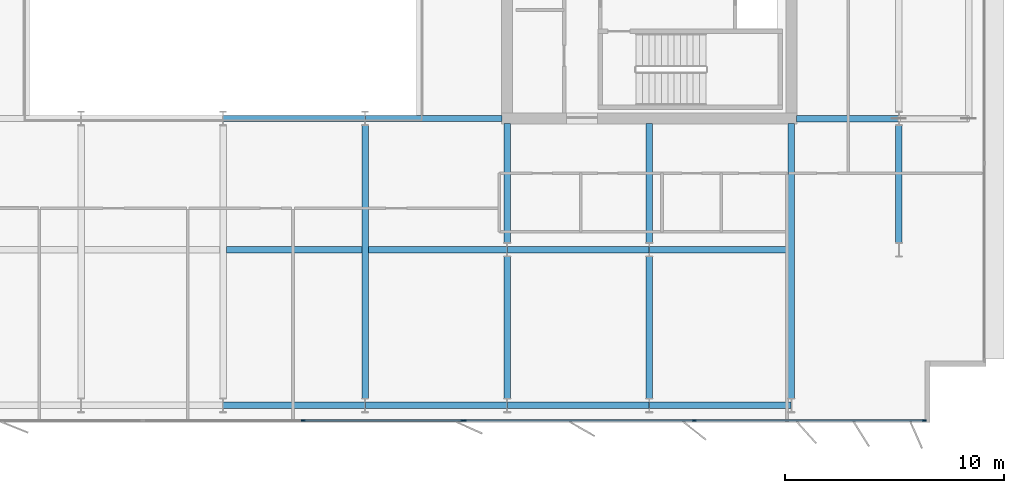
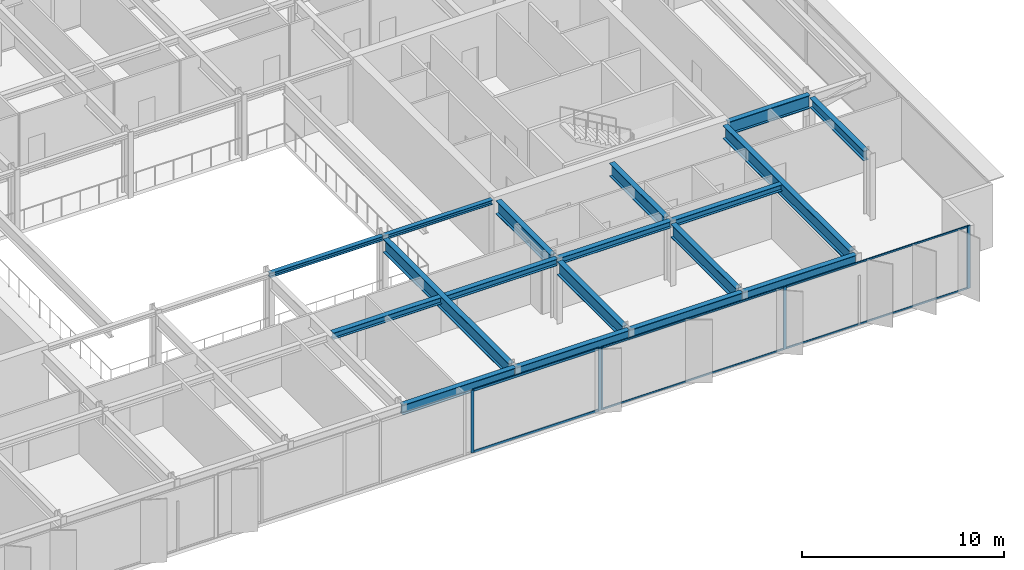
# One storey, part 6 of 20: 18 beams, 11 members, 2 elements without a shape of their own.
"""IFC4 building model written with IfcOpenShell, lengths in metres."""

from ifc_helpers import new_model, si_unit, direction, frame, origin, origin_2d, place, context, subcontext, project, spatial, rectangle, i_section, extrude, material, layer, layer_set, material_profile, profile_set, type_object, element, aggregate, save


model = new_model("IFC4")

# Units and contexts
model_context = context("Model", 3, precision=1e-05, world=origin(), true_north=direction((0.0, 1.0)))
body_context = subcontext(model_context, "Body", "Model", "MODEL_VIEW")
ifc_project = project(units=[si_unit("LENGTHUNIT", "METRE"), si_unit("AREAUNIT", "SQUARE_METRE"), si_unit("VOLUMEUNIT", "CUBIC_METRE"), si_unit("PLANEANGLEUNIT", "RADIAN"), si_unit("MASSUNIT", "GRAM", prefix="KILO")], contexts=[model_context])

# Site, building, storey
site_placement = place(None, origin())
site = spatial("IfcSite", under=ifc_project, at=site_placement, CompositionType="ELEMENT")
building_placement = place(site_placement, origin())
building = spatial("IfcBuilding", under=site, at=building_placement, Name="Putna Gate Headquarters", CompositionType="ELEMENT")
storey_placement = place(building_placement, frame((0.0, 0.0, 298.39990234375)))
storey = spatial("IfcBuildingStorey", under=building, at=storey_placement, Name="L75", CompositionType="ELEMENT", Elevation=298.39990234375)

# Beams
ifc_material_1 = material(Name="Steel S355J2", Category="steel")
ifc_material_profile_1 = material_profile(ifc_material_1, i_section(OverallWidth=0.260009765625, OverallDepth=0.260009765625, WebThickness=0.010009765625, FlangeThickness=0.017578125, at=origin_2d()), Name="Steel S355J2")
ifc_profile_set_1 = profile_set([ifc_material_profile_1], Name="Steel S355J2")
beam_type_1 = type_object("IfcBeamType", Name="BM-ATRIUM-HEB260", PredefinedType="BEAM", material=ifc_profile_set_1)
beam_1_placement = place(storey_placement, frame((39.006103515625, 19.0, 3.658203125), z_axis=(1.0, 0.0, 0.0), x_axis=(0.0, 1.0, 0.0)))
element("IfcBeam", 1, at=beam_1_placement, inside=storey, type_object=beam_type_1, Name="L75 Atrium Edge Beam AS3", PredefinedType="BEAM", context=body_context, shape_type="SweptSolid", body=[
    extrude(i_section(OverallWidth=0.260009765625, OverallDepth=0.260009765625, WebThickness=0.010009765625, FlangeThickness=0.017578125, at=origin_2d()), origin(), (0.0, 0.0, 1.0), 6.48779296875),
])
beam_2_placement = place(storey_placement, frame((45.506103515625, 19.0, 3.658203125), z_axis=(1.0, 0.0, 0.0), x_axis=(0.0, 1.0, 0.0)))
element("IfcBeam", 2, at=beam_2_placement, inside=storey, type_object=beam_type_1, Name="L75 Atrium Edge Beam AS4", PredefinedType="BEAM", context=body_context, shape_type="SweptSolid", body=[
    extrude(i_section(OverallWidth=0.260009765625, OverallDepth=0.260009765625, WebThickness=0.010009765625, FlangeThickness=0.017578125, at=origin_2d()), origin(), (0.0, 0.0, 1.0), 6.2587890625),
])
ifc_material_profile_2 = material_profile(ifc_material_1, i_section(OverallWidth=0.300048828125, OverallDepth=0.800048828125, WebThickness=0.017578125, FlangeThickness=0.032958984375, at=origin_2d()), Name="Steel S355J2")
ifc_profile_set_2 = profile_set([ifc_material_profile_2], Name="Steel S355J2")
beam_type_2 = type_object("IfcBeamType", Name="BM-GIRD-P-HEB800", PredefinedType="USERDEFINED", material=ifc_profile_set_2)
beam_3_placement = place(storey_placement, frame((65.235107421875, 19.0, 3.38818359375), z_axis=(1.0, 0.0, 0.0), x_axis=(0.0, 1.0, 0.0)))
element("IfcBeam", 3, at=beam_3_placement, inside=storey, type_object=beam_type_2, Name="L75 East Wing Girder Y19", ObjectType="GIRDER", PredefinedType="USERDEFINED", context=body_context, shape_type="SweptSolid", body=[
    extrude(i_section(OverallWidth=0.300048828125, OverallDepth=0.800048828125, WebThickness=0.017578125, FlangeThickness=0.032958984375, at=origin_2d()), origin(), (0.0, 0.0, 1.0), 4.678955078125),
])
beam_4_placement = place(storey_placement, frame((45.5, 6.201904296875, 3.38818359375), z_axis=(0.0, 1.0, 0.0), x_axis=(-1.0, 0.0, 0.0)))
element("IfcBeam", 4, at=beam_4_placement, inside=storey, type_object=beam_type_2, Name="L75 South Primary Girder X45", ObjectType="GIRDER", PredefinedType="USERDEFINED", context=body_context, shape_type="SweptSolid", body=[
    extrude(i_section(OverallWidth=0.300048828125, OverallDepth=0.800048828125, WebThickness=0.017578125, FlangeThickness=0.032958984375, at=origin_2d()), origin(), (0.0, 0.0, 1.0), 12.47607421875),
])
beam_5_placement = place(storey_placement, frame((52.0, 6.201904296875, 3.38818359375), z_axis=(0.0, 1.0, 0.0), x_axis=(-1.0, 0.0, 0.0)))
element("IfcBeam", 5, at=beam_5_placement, inside=storey, type_object=beam_type_2, Name="L75 South Primary Girder X52-1", ObjectType="GIRDER", PredefinedType="USERDEFINED", context=body_context, shape_type="SweptSolid", body=[
    extrude(i_section(OverallWidth=0.300048828125, OverallDepth=0.800048828125, WebThickness=0.017578125, FlangeThickness=0.032958984375, at=origin_2d()), origin(), (0.0, 0.0, 1.0), 6.47607421875),
])
beam_6_placement = place(storey_placement, frame((52.0, 13.322021484375, 3.38818359375), z_axis=(0.0, 1.0, 0.0), x_axis=(-1.0, 0.0, 0.0)))
element("IfcBeam", 6, at=beam_6_placement, inside=storey, type_object=beam_type_2, Name="L75 South Primary Girder X52-2", ObjectType="GIRDER", PredefinedType="USERDEFINED", context=body_context, shape_type="SweptSolid", body=[
    extrude(i_section(OverallWidth=0.300048828125, OverallDepth=0.800048828125, WebThickness=0.017578125, FlangeThickness=0.032958984375, at=origin_2d()), origin(), (0.0, 0.0, 1.0), 5.44287109375),
])
beam_7_placement = place(storey_placement, frame((58.5, 6.201904296875, 3.38818359375), z_axis=(0.0, 1.0, 0.0), x_axis=(-1.0, 0.0, 0.0)))
element("IfcBeam", 7, at=beam_7_placement, inside=storey, type_object=beam_type_2, Name="L75 South Primary Girder X58-1", ObjectType="GIRDER", PredefinedType="USERDEFINED", context=body_context, shape_type="SweptSolid", body=[
    extrude(i_section(OverallWidth=0.300048828125, OverallDepth=0.800048828125, WebThickness=0.017578125, FlangeThickness=0.032958984375, at=origin_2d()), origin(), (0.0, 0.0, 1.0), 6.47607421875),
])
beam_8_placement = place(storey_placement, frame((58.5, 13.322021484375, 3.38818359375), z_axis=(0.0, 1.0, 0.0), x_axis=(-1.0, 0.0, 0.0)))
element("IfcBeam", 8, at=beam_8_placement, inside=storey, type_object=beam_type_2, Name="L75 South Primary Girder X58-2", ObjectType="GIRDER", PredefinedType="USERDEFINED", context=body_context, shape_type="SweptSolid", body=[
    extrude(i_section(OverallWidth=0.300048828125, OverallDepth=0.800048828125, WebThickness=0.017578125, FlangeThickness=0.032958984375, at=origin_2d()), origin(), (0.0, 0.0, 1.0), 5.44287109375),
])
beam_9_placement = place(storey_placement, frame((65.0, 6.201904296875, 3.38818359375), z_axis=(0.0, 1.0, 0.0), x_axis=(-1.0, 0.0, 0.0)))
element("IfcBeam", 9, at=beam_9_placement, inside=storey, type_object=beam_type_2, Name="L75 South Primary Girder X65", ObjectType="GIRDER", PredefinedType="USERDEFINED", context=body_context, shape_type="SweptSolid", body=[
    extrude(i_section(OverallWidth=0.300048828125, OverallDepth=0.800048828125, WebThickness=0.017578125, FlangeThickness=0.032958984375, at=origin_2d()), origin(), (0.0, 0.0, 1.0), 12.56298828125),
])
ifc_material_profile_3 = material_profile(ifc_material_1, i_section(OverallWidth=0.300048828125, OverallDepth=0.389892578125, WebThickness=0.010986328125, FlangeThickness=0.01904296875, at=origin_2d()), Name="Steel S355J2")
ifc_profile_set_3 = profile_set([ifc_material_profile_3], Name="Steel S355J2")
beam_type_3 = type_object("IfcBeamType", Name="BM-SEC-Z5-HEA400", PredefinedType="BEAM", material=ifc_profile_set_3)
beam_10_placement = place(storey_placement, frame((39.154052734375, 13.0, 3.593017578125), z_axis=(1.0, 0.0, 0.0), x_axis=(0.0, 1.0, 0.0)))
element("IfcBeam", 10, at=beam_10_placement, inside=storey, type_object=beam_type_3, Name="L75 South Secondary Beam 5", PredefinedType="BEAM", context=body_context, shape_type="SweptSolid", body=[
    extrude(i_section(OverallWidth=0.300048828125, OverallDepth=0.389892578125, WebThickness=0.010986328125, FlangeThickness=0.01904296875, at=origin_2d()), origin(), (0.0, 0.0, 1.0), 6.19189453125),
])
beam_11_placement = place(storey_placement, frame((45.654052734375, 13.0, 3.593017578125), z_axis=(1.0, 0.0, 0.0), x_axis=(0.0, 1.0, 0.0)))
element("IfcBeam", 11, at=beam_11_placement, inside=storey, type_object=beam_type_3, Name="L75 South Secondary Beam 6", PredefinedType="BEAM", context=body_context, shape_type="SweptSolid", body=[
    extrude(i_section(OverallWidth=0.300048828125, OverallDepth=0.389892578125, WebThickness=0.010986328125, FlangeThickness=0.01904296875, at=origin_2d()), origin(), (0.0, 0.0, 1.0), 6.33984375),
])
beam_12_placement = place(storey_placement, frame((52.006103515625, 13.0, 3.593017578125), z_axis=(1.0, 0.0, 0.0), x_axis=(0.0, 1.0, 0.0)))
element("IfcBeam", 12, at=beam_12_placement, inside=storey, type_object=beam_type_3, Name="L75 South Secondary Beam 7", PredefinedType="BEAM", context=body_context, shape_type="SweptSolid", body=[
    extrude(i_section(OverallWidth=0.300048828125, OverallDepth=0.389892578125, WebThickness=0.010986328125, FlangeThickness=0.01904296875, at=origin_2d()), origin(), (0.0, 0.0, 1.0), 6.48779296875),
])
beam_13_placement = place(storey_placement, frame((58.506103515625, 13.0, 3.593017578125), z_axis=(1.0, 0.0, 0.0), x_axis=(0.0, 1.0, 0.0)))
element("IfcBeam", 13, at=beam_13_placement, inside=storey, type_object=beam_type_3, Name="L75 South Secondary Beam 8", PredefinedType="BEAM", context=body_context, shape_type="SweptSolid", body=[
    extrude(i_section(OverallWidth=0.300048828125, OverallDepth=0.389892578125, WebThickness=0.010986328125, FlangeThickness=0.01904296875, at=origin_2d()), origin(), (0.0, 0.0, 1.0), 6.33984375),
])
ifc_material_profile_4 = material_profile(ifc_material_1, i_section(OverallWidth=0.300048828125, OverallDepth=0.590087890625, WebThickness=0.012939453125, FlangeThickness=0.02490234375, at=origin_2d()), Name="Steel S355J2")
ifc_profile_set_4 = profile_set([ifc_material_profile_4], Name="Steel S355J2")
beam_type_4 = type_object("IfcBeamType", Name="BM-SPAN-Z4-HEA600", PredefinedType="SPANDREL", material=ifc_profile_set_4)
for number, where, z_axis, x_axis, name in (
    (14, (39.006103515625, 5.8798828125, 3.4931640625), (1.0, 0.0, 0.0), (0.0, 1.0, 0.0), "L75 S Perimeter Spandrel 5"),
    (15, (45.506103515625, 5.8798828125, 3.4931640625), (1.0, 0.0, 0.0), (0.0, 1.0, 0.0), "L75 S Perimeter Spandrel 6"),
    (16, (52.006103515625, 5.8798828125, 3.4931640625), (1.0, 0.0, 0.0), (0.0, 1.0, 0.0), "L75 S Perimeter Spandrel 7"),
    (17, (58.506103515625, 5.8798828125, 3.4931640625), (1.0, 0.0, 0.0), (0.0, 1.0, 0.0), "L75 S Perimeter Spandrel 8"),
):
    element("IfcBeam", number, at=place(storey_placement, frame(where, z_axis=z_axis, x_axis=x_axis)), inside=storey, type_object=beam_type_4, Name=name, PredefinedType="SPANDREL", context=body_context, shape_type="SweptSolid", body=[
        extrude(i_section(OverallWidth=0.300048828125, OverallDepth=0.590087890625, WebThickness=0.012939453125, FlangeThickness=0.02490234375, at=origin_2d()), origin(), (0.0, 0.0, 1.0), 6.48779296875),
    ])
beam_14_placement = place(storey_placement, frame((69.919921875, 13.322021484375, 3.4931640625), z_axis=(0.0, 1.0, 0.0), x_axis=(-1.0, 0.0, 0.0)))
element("IfcBeam", 18, at=beam_14_placement, inside=storey, type_object=beam_type_4, Name="L75 E End Spandrel 1", PredefinedType="SPANDREL", context=body_context, shape_type="SweptSolid", body=[
    extrude(i_section(OverallWidth=0.300048828125, OverallDepth=0.590087890625, WebThickness=0.012939453125, FlangeThickness=0.02490234375, at=origin_2d()), origin(), (0.0, 0.0, 1.0), 5.35595703125),
])

# Curtain wall, members
ifc_material_2 = material(Name="Anodised bronze aluminium curtain wall", Category="aluminium")
ifc_layer_1 = layer(ifc_material_2, 0.179931640625)
ifc_layer_set_1 = layer_set([ifc_layer_1], Name="Anodised bronze aluminium curtain wall")
curtain_wall_type_1 = type_object("IfcCurtainWallType", Name="CW-SYS-Z5", PredefinedType="USERDEFINED", material=ifc_layer_set_1)
curtain_wall_1_placement = place(storey_placement, origin())
curtain_wall_1 = element("IfcCurtainWall", 19, at=curtain_wall_1_placement, inside=storey, type_object=curtain_wall_type_1, Name="L75 South East Curtain Wall", ObjectType="STICK CURTAIN WALL", PredefinedType="USERDEFINED")
ifc_material_3 = material(Name="Anodised bronze aluminium EN AW-6060", Category="aluminium")
ifc_material_profile_5 = material_profile(ifc_material_3, rectangle(XDim=0.070068359375, YDim=0.179931640625, at=origin_2d()), Name="Anodised bronze aluminium EN AW-6060")
ifc_profile_set_5 = profile_set([ifc_material_profile_5], Name="Anodised bronze aluminium EN AW-6060")
member_type_1 = type_object("IfcMemberType", Name="MULL-CWM-5", PredefinedType="MULLION", material=ifc_profile_set_5)
member_1_placement = place(storey_placement, frame((50.034912109375, 5.179931640625, 0.0), z_axis=(0.0, 0.0, 1.0), x_axis=(0.0, 1.0, 0.0)))
member_1 = element("IfcMember", 20, at=member_1_placement, type_object=member_type_1, Name="CWS-5 mullion 1", PredefinedType="MULLION", context=body_context, shape_type="SweptSolid", body=[
    extrude(rectangle(XDim=0.070068359375, YDim=0.179931640625, at=origin_2d()), origin(), (0.0, 0.0, 1.0), 3.7880859375),
])
member_2_placement = place(storey_placement, frame((60.555419921875, 5.179931640625, 0.0), z_axis=(0.0, 0.0, 1.0), x_axis=(0.0, 1.0, 0.0)))
member_2 = element("IfcMember", 21, at=member_2_placement, type_object=member_type_1, Name="CWS-5 mullion 2", PredefinedType="MULLION", context=body_context, shape_type="SweptSolid", body=[
    extrude(rectangle(XDim=0.070068359375, YDim=0.179931640625, at=origin_2d()), origin(), (0.0, 0.0, 1.0), 3.7880859375),
])
member_3_placement = place(storey_placement, frame((71.075927734375, 5.179931640625, 0.0), z_axis=(0.0, 0.0, 1.0), x_axis=(0.0, 1.0, 0.0)))
member_3 = element("IfcMember", 22, at=member_3_placement, type_object=member_type_1, Name="CWS-5 mullion 3", PredefinedType="MULLION", context=body_context, shape_type="SweptSolid", body=[
    extrude(rectangle(XDim=0.070068359375, YDim=0.179931640625, at=origin_2d()), origin(), (0.0, 0.0, 1.0), 3.7880859375),
])

ifc_layer_2 = layer(ifc_material_2, 0.179931640625)
ifc_layer_set_2 = layer_set([ifc_layer_2], Name="Anodised bronze aluminium curtain wall")
curtain_wall_type_2 = type_object("IfcCurtainWallType", Name="CW-SYS-ATR", PredefinedType="USERDEFINED", material=ifc_layer_set_2)
curtain_wall_2_placement = place(storey_placement, origin())
curtain_wall_2 = element("IfcCurtainWall", 23, at=curtain_wall_2_placement, inside=storey, type_object=curtain_wall_type_2, Name="L75 South Atrium Clear Glazing", ObjectType="ATRIUM GLAZING", PredefinedType="USERDEFINED")
ifc_material_profile_6 = material_profile(ifc_material_3, rectangle(XDim=0.070068359375, YDim=0.179931640625, at=origin_2d()), Name="Anodised bronze aluminium EN AW-6060")
ifc_profile_set_6 = profile_set([ifc_material_profile_6], Name="Anodised bronze aluminium EN AW-6060")
member_type_2 = type_object("IfcMemberType", Name="MULL-CWM-AT", PredefinedType="MULLION", material=ifc_profile_set_6)
member_4_placement = place(storey_placement, frame((42.666748046875, 5.179931640625, 0.0), z_axis=(0.0, 0.0, 1.0), x_axis=(0.0, 1.0, 0.0)))
member_4 = element("IfcMember", 24, at=member_4_placement, type_object=member_type_2, Name="CWS-AT mullion 3", PredefinedType="MULLION", context=body_context, shape_type="SweptSolid", body=[
    extrude(rectangle(XDim=0.070068359375, YDim=0.179931640625, at=origin_2d()), origin(), (0.0, 0.0, 1.0), 3.7880859375),
])
member_5_placement = place(storey_placement, frame((49.965087890625, 5.179931640625, 0.0), z_axis=(0.0, 0.0, 1.0), x_axis=(0.0, 1.0, 0.0)))
member_5 = element("IfcMember", 25, at=member_5_placement, type_object=member_type_2, Name="CWS-AT mullion 4", PredefinedType="MULLION", context=body_context, shape_type="SweptSolid", body=[
    extrude(rectangle(XDim=0.070068359375, YDim=0.179931640625, at=origin_2d()), origin(), (0.0, 0.0, 1.0), 3.7880859375),
])

# Member
ifc_material_profile_7 = material_profile(ifc_material_3, rectangle(XDim=0.06005859375, YDim=0.10009765625, at=origin_2d()), Name="Anodised bronze aluminium EN AW-6060")
ifc_profile_set_7 = profile_set([ifc_material_profile_7], Name="Anodised bronze aluminium EN AW-6060")
member_type_3 = type_object("IfcMemberType", Name="TRAN-CWT-5", PredefinedType="USERDEFINED", material=ifc_profile_set_7)
member_6_placement = place(storey_placement, frame((50.070068359375, 5.179931640625, 0.030029296875), z_axis=(1.0, 0.0, 0.0), x_axis=(0.0, 1.0, 0.0)))
member_6 = element("IfcMember", 26, at=member_6_placement, type_object=member_type_3, Name="CWS-5 transom 1.1", ObjectType="TRANSOM", PredefinedType="USERDEFINED", context=body_context, shape_type="SweptSolid", body=[
    extrude(rectangle(XDim=0.06005859375, YDim=0.10009765625, at=origin_2d()), origin(), (0.0, 0.0, 1.0), 10.450439453125),
])

member_7_placement = place(storey_placement, frame((50.070068359375, 5.179931640625, 3.758056640625), z_axis=(1.0, 0.0, 0.0), x_axis=(0.0, 1.0, 0.0)))
member_7 = element("IfcMember", 27, at=member_7_placement, type_object=member_type_3, Name="CWS-5 transom 1.2", ObjectType="TRANSOM", PredefinedType="USERDEFINED", context=body_context, shape_type="SweptSolid", body=[
    extrude(rectangle(XDim=0.06005859375, YDim=0.10009765625, at=origin_2d()), origin(), (0.0, 0.0, 1.0), 10.450439453125),
])

member_8_placement = place(storey_placement, frame((60.590576171875, 5.179931640625, 0.030029296875), z_axis=(1.0, 0.0, 0.0), x_axis=(0.0, 1.0, 0.0)))
member_8 = element("IfcMember", 28, at=member_8_placement, type_object=member_type_3, Name="CWS-5 transom 2.1", ObjectType="TRANSOM", PredefinedType="USERDEFINED", context=body_context, shape_type="SweptSolid", body=[
    extrude(rectangle(XDim=0.06005859375, YDim=0.10009765625, at=origin_2d()), origin(), (0.0, 0.0, 1.0), 10.450439453125),
])

member_9_placement = place(storey_placement, frame((60.590576171875, 5.179931640625, 3.758056640625), z_axis=(1.0, 0.0, 0.0), x_axis=(0.0, 1.0, 0.0)))
member_9 = element("IfcMember", 29, at=member_9_placement, type_object=member_type_3, Name="CWS-5 transom 2.2", ObjectType="TRANSOM", PredefinedType="USERDEFINED", context=body_context, shape_type="SweptSolid", body=[
    extrude(rectangle(XDim=0.06005859375, YDim=0.10009765625, at=origin_2d()), origin(), (0.0, 0.0, 1.0), 10.450439453125),
])

aggregate(curtain_wall_1, [member_1, member_2, member_3, member_6, member_7, member_8, member_9])

ifc_material_profile_8 = material_profile(ifc_material_3, rectangle(XDim=0.070068359375, YDim=0.139892578125, at=origin_2d()), Name="Anodised bronze aluminium EN AW-6060")
ifc_profile_set_8 = profile_set([ifc_material_profile_8], Name="Anodised bronze aluminium EN AW-6060")
member_type_4 = type_object("IfcMemberType", Name="TRAN-CWT-AT", PredefinedType="USERDEFINED", material=ifc_profile_set_8)
member_10_placement = place(storey_placement, frame((42.70166015625, 5.179931640625, 0.03515625), z_axis=(1.0, 0.0, 0.0), x_axis=(0.0, 1.0, 0.0)))
member_10 = element("IfcMember", 30, at=member_10_placement, type_object=member_type_4, Name="CWS-AT transom 3.1", ObjectType="TRANSOM", PredefinedType="USERDEFINED", context=body_context, shape_type="SweptSolid", body=[
    extrude(rectangle(XDim=0.070068359375, YDim=0.139892578125, at=origin_2d()), origin(), (0.0, 0.0, 1.0), 7.228271484375),
])

member_11_placement = place(storey_placement, frame((42.70166015625, 5.179931640625, 3.753173828125), z_axis=(1.0, 0.0, 0.0), x_axis=(0.0, 1.0, 0.0)))
member_11 = element("IfcMember", 31, at=member_11_placement, type_object=member_type_4, Name="CWS-AT transom 3.2", ObjectType="TRANSOM", PredefinedType="USERDEFINED", context=body_context, shape_type="SweptSolid", body=[
    extrude(rectangle(XDim=0.070068359375, YDim=0.139892578125, at=origin_2d()), origin(), (0.0, 0.0, 1.0), 7.228271484375),
])

aggregate(curtain_wall_2, [member_4, member_5, member_10, member_11])

save(model, "model.ifc")
